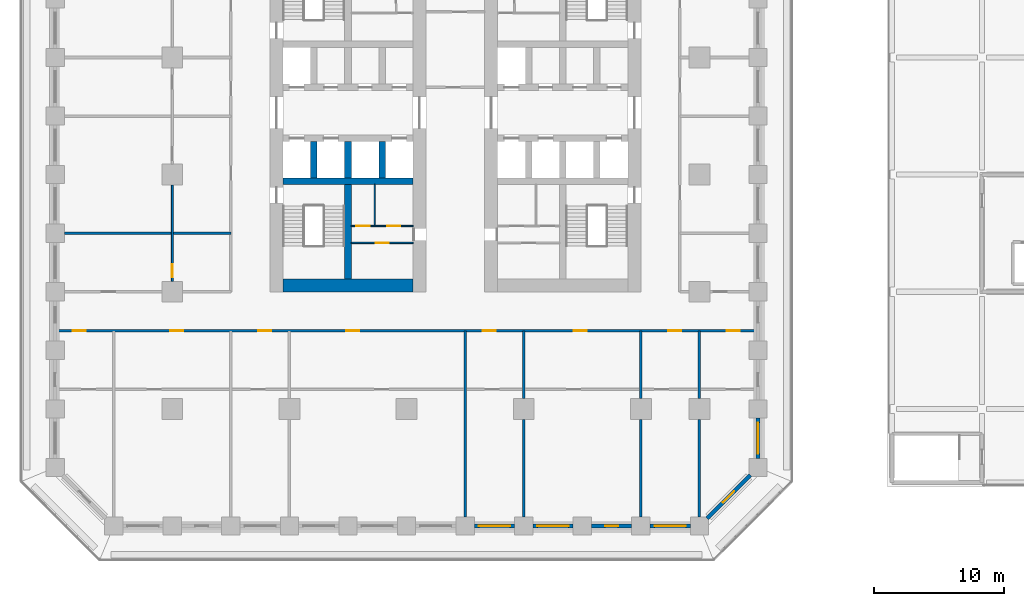
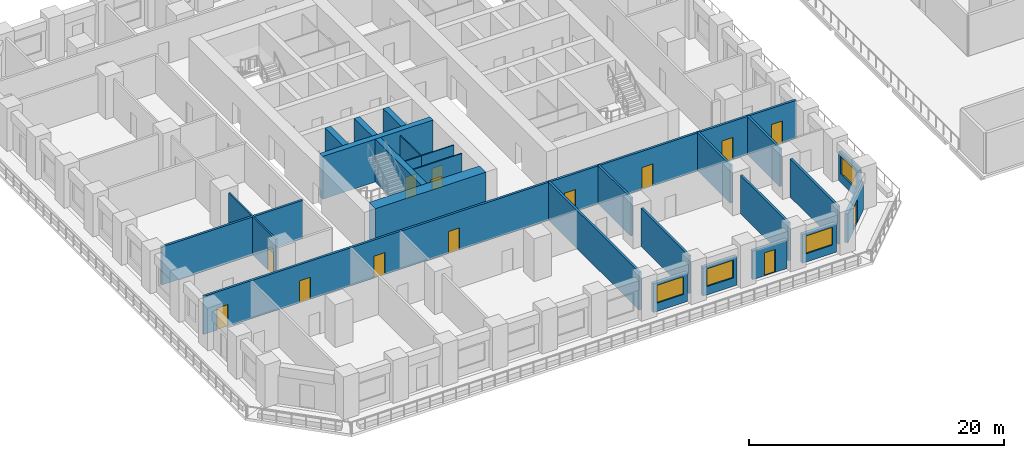
# One storey, part 19 of 30: 26 walls, 14 doors, 4 windows, 18 openings.
"""IFC4 building model written with IfcOpenShell, lengths in metres."""

from ifc_helpers import new_model, si_unit, direction, frame, frame_2d, origin, place, context, subcontext, project, spatial, rectangle, extrude, material, layer, layer_set, type_object, element, fill, save


model = new_model("IFC4")

# Units and contexts
model_context = context("Model", 3, precision=1e-05, world=origin(), true_north=direction((0.0, 1.0)))
body_context = subcontext(model_context, "Body", "Model", "MODEL_VIEW")
ifc_project = project(units=[si_unit("LENGTHUNIT", "METRE"), si_unit("AREAUNIT", "SQUARE_METRE"), si_unit("VOLUMEUNIT", "CUBIC_METRE"), si_unit("PLANEANGLEUNIT", "RADIAN"), si_unit("MASSUNIT", "GRAM", prefix="KILO")], contexts=[model_context])

# Site, building, storey
site_placement = place(None, origin())
site = spatial("IfcSite", under=ifc_project, at=site_placement, CompositionType="ELEMENT")
building_placement = place(site_placement, origin())
building = spatial("IfcBuilding", under=site, at=building_placement, Name="Corbel Stack Research Tower", CompositionType="ELEMENT")
storey_placement = place(building_placement, frame((0.0, 0.0, 19.5)))
storey = spatial("IfcBuildingStorey", under=building, at=storey_placement, Name="L04", CompositionType="ELEMENT", Elevation=19.5)

# Walls
ifc_material_1 = material(Name="Concrete C70/85", Category="concrete")
ifc_layer_1 = layer(ifc_material_1, 1.0)
ifc_layer_set_1 = layer_set([ifc_layer_1], Name="Concrete C70/85")
wall_type_1 = type_object("IfcWallType", Name="CW-1000-70", PredefinedType="SHEAR", material=ifc_layer_set_1)
wall_1_placement = place(storey_placement, frame((-9.5, -8.5, 0.0), z_axis=(0.0, 0.0, 1.0), x_axis=(1.0, 0.0, 0.0)))
element("IfcWall", 1, at=wall_1_placement, inside=storey, type_object=wall_type_1, Name="West core wall, south end L04", PredefinedType="SHEAR", context=body_context, shape_type="SweptSolid", body=[
    extrude(rectangle(XDim=10.0, YDim=1.0, at=frame_2d((5.0, 0.0))), origin(), (0.0, 0.0, 1.0), 4.10009765625),
])
ifc_material_2 = material(Name="Concrete C70/85", Category="concrete")
ifc_layer_2 = layer(ifc_material_2, 0.5)
ifc_layer_set_2 = layer_set([ifc_layer_2], Name="Concrete C70/85")
wall_type_2 = type_object("IfcWallType", Name="CW-500-70", PredefinedType="SHEAR", material=ifc_layer_set_2)
wall_2_placement = place(storey_placement, frame((-9.5, -0.5, 0.0), z_axis=(0.0, 0.0, 1.0), x_axis=(1.0, 0.0, 0.0)))
element("IfcWall", 2, at=wall_2_placement, inside=storey, type_object=wall_type_2, Name="West core wall, south row back L04", PredefinedType="SHEAR", context=body_context, shape_type="SweptSolid", body=[
    extrude(rectangle(XDim=10.0, YDim=0.5, at=frame_2d((5.0, 0.0))), origin(), (0.0, 0.0, 1.0), 4.10009765625),
])
for number, where, z_axis, x_axis, name in (
    (3, (-7.125, -0.25, 0.0), (0.0, 0.0, 1.0), (0.0, 1.0, 0.0), "West core wall, south shaft 1 L04"),
    (4, (-4.5, -0.25, 0.0), (0.0, 0.0, 1.0), (0.0, 1.0, 0.0), "West core wall, south shaft 2 L04"),
    (5, (-1.875, -0.25, 0.0), (0.0, 0.0, 1.0), (0.0, 1.0, 0.0), "West core wall, south shaft 3 L04"),
):
    element("IfcWall", number, at=place(storey_placement, frame(where, z_axis=z_axis, x_axis=x_axis)), inside=storey, type_object=wall_type_2, Name=name, PredefinedType="SHEAR", context=body_context, shape_type="SweptSolid", body=[
        extrude(rectangle(XDim=2.800048828125, YDim=0.5, at=frame_2d((1.39990234375, 0.0))), origin(), (0.0, 0.0, 1.0), 4.10009765625),
    ])
wall_3_placement = place(storey_placement, frame((-4.5, -8.0, 0.0), z_axis=(0.0, 0.0, 1.0), x_axis=(0.0, 1.0, 0.0)))
element("IfcWall", 6, at=wall_3_placement, inside=storey, type_object=wall_type_2, Name="West core wall, south stair and WC L04", PredefinedType="SHEAR", context=body_context, shape_type="SweptSolid", body=[
    extrude(rectangle(XDim=7.25, YDim=0.5, at=frame_2d((3.625, 0.0))), origin(), (0.0, 0.0, 1.0), 4.10009765625),
])

# Wall, opening, door
ifc_material_3 = material(Name="Gypsum board")
ifc_layer_3 = layer(ifc_material_3, 0.10009765625)
ifc_layer_set_3 = layer_set([ifc_layer_3], Name="Gypsum board")
wall_type_3 = type_object("IfcWallType", Name="Core partition 100", PredefinedType="PARTITIONING", material=ifc_layer_set_3)
wall_4_placement = place(storey_placement, frame((-4.25, -5.2451171875, 0.0), z_axis=(0.0, 0.0, 1.0), x_axis=(1.0, 0.0, 0.0)))
wall_4 = element("IfcWall", 7, at=wall_4_placement, inside=storey, type_object=wall_type_3, Name="Core partition W", PredefinedType="PARTITIONING", context=body_context, shape_type="SweptSolid", body=[
    extrude(rectangle(XDim=4.75, YDim=0.10009765625, at=frame_2d((2.375, 0.0))), origin(), (0.0, 0.0, 1.0), 3.64990234375),
])
opening_1_placement = place(wall_4_placement, frame((1.875, 0.0, 0.0)))
opening_1 = element("IfcOpeningElement", 8, at=opening_1_placement, cuts=wall_4, Name="Opening CR-W24-W2-1000", PredefinedType="OPENING", context=body_context, shape_type="SweptSolid", body=[
    extrude(rectangle(XDim=1.0, YDim=2.10009765625, at=frame_2d((0.5, 1.050048828125))), frame((0.0, 0.06005859375, 0.0), z_axis=(0.0, -1.0, 0.0), x_axis=(1.0, 0.0, 0.0)), (0.0, 0.0, 1.0), 0.1201171875),
])
ifc_material_4 = material(Name="Painted timber door", Category="wood")
door_type_1 = type_object("IfcDoorType", Name="WC door 1000 x 2100 right hand", OperationType="SINGLE_SWING_RIGHT", PredefinedType="DOOR", material=ifc_material_4)
door_1_placement = place(opening_1_placement, origin())
door_1 = element("IfcDoor", 9, at=door_1_placement, inside=storey, type_object=door_type_1, Name="Men's WC door W core", OperationType="SINGLE_SWING_RIGHT", OverallHeight=2.10009765625, OverallWidth=1.0, PredefinedType="DOOR", context=body_context, shape_type="SweptSolid", body=[
    extrude(rectangle(XDim=1.0, YDim=2.10009765625, at=frame_2d((0.5, 1.050048828125))), frame((0.0, 0.02490234375, 0.0), z_axis=(0.0, -1.0, 0.0), x_axis=(1.0, 0.0, 0.0)), (0.0, 0.0, 1.0), 0.050048828125),
])
fill(opening_1, door_1)

wall_5_placement = place(storey_placement, frame((-2.445068359375, -3.93994140625, 0.0), z_axis=(0.0, 0.0, 1.0), x_axis=(1.0, 0.0, 0.0)))
wall_5 = element("IfcWall", 10, at=wall_5_placement, inside=storey, type_object=wall_type_3, Name="Core partition W", PredefinedType="PARTITIONING", context=body_context, shape_type="SweptSolid", body=[
    extrude(rectangle(XDim=2.945068359375, YDim=0.10009765625, at=frame_2d((1.47265625, 0.0))), origin(), (0.0, 0.0, 1.0), 3.64990234375),
])
opening_2_placement = place(wall_5_placement, frame((0.972412109375, 0.0, 0.0)))
opening_2 = element("IfcOpeningElement", 11, at=opening_2_placement, cuts=wall_5, Name="Opening CR-W24-W3-1000", PredefinedType="OPENING", context=body_context, shape_type="SweptSolid", body=[
    extrude(rectangle(XDim=1.0, YDim=2.10009765625, at=frame_2d((0.5, 1.050048828125))), frame((0.0, 0.06005859375, 0.0), z_axis=(0.0, -1.0, 0.0), x_axis=(1.0, 0.0, 0.0)), (0.0, 0.0, 1.0), 0.1201171875),
])
ifc_material_5 = material(Name="Painted timber door", Category="wood")
door_type_2 = type_object("IfcDoorType", Name="WC door 1000 x 2100 left hand", OperationType="SINGLE_SWING_LEFT", PredefinedType="DOOR", material=ifc_material_5)
door_2_placement = place(opening_2_placement, origin())
door_2 = element("IfcDoor", 12, at=door_2_placement, inside=storey, type_object=door_type_2, Name="Women's WC door W core", OperationType="SINGLE_SWING_LEFT", OverallHeight=2.10009765625, OverallWidth=1.0, PredefinedType="DOOR", context=body_context, shape_type="SweptSolid", body=[
    extrude(rectangle(XDim=1.0, YDim=2.10009765625, at=frame_2d((0.5, 1.050048828125))), frame((0.0, 0.02490234375, 0.0), z_axis=(0.0, -1.0, 0.0), x_axis=(1.0, 0.0, 0.0)), (0.0, 0.0, 1.0), 0.050048828125),
])
fill(opening_2, door_2)

wall_6_placement = place(storey_placement, frame((-4.25, -3.93994140625, 0.0), z_axis=(0.0, 0.0, 1.0), x_axis=(1.0, 0.0, 0.0)))
wall_6 = element("IfcWall", 13, at=wall_6_placement, inside=storey, type_object=wall_type_3, Name="Core partition W", PredefinedType="PARTITIONING", context=body_context, shape_type="SweptSolid", body=[
    extrude(rectangle(XDim=1.804931640625, YDim=0.10009765625, at=frame_2d((0.90234375, 0.0))), origin(), (0.0, 0.0, 1.0), 3.64990234375),
])
opening_3_placement = place(wall_6_placement, frame((0.402587890625, 0.0, 0.0)))
opening_3 = element("IfcOpeningElement", 14, at=opening_3_placement, cuts=wall_6, Name="Opening CR-W24-W4-1000", PredefinedType="OPENING", context=body_context, shape_type="SweptSolid", body=[
    extrude(rectangle(XDim=1.0, YDim=2.10009765625, at=frame_2d((0.5, 1.050048828125))), frame((0.0, 0.06005859375, 0.0), z_axis=(0.0, -1.0, 0.0), x_axis=(1.0, 0.0, 0.0)), (0.0, 0.0, 1.0), 0.1201171875),
])
door_3_placement = place(opening_3_placement, origin())
door_3 = element("IfcDoor", 15, at=door_3_placement, inside=storey, type_object=door_type_1, Name="Accessible WC door W core", OperationType="SINGLE_SWING_RIGHT", OverallHeight=2.10009765625, OverallWidth=1.0, PredefinedType="DOOR", context=body_context, shape_type="SweptSolid", body=[
    extrude(rectangle(XDim=1.0, YDim=2.10009765625, at=frame_2d((0.5, 1.050048828125))), frame((0.0, 0.02490234375, 0.0), z_axis=(0.0, -1.0, 0.0), x_axis=(1.0, 0.0, 0.0)), (0.0, 0.0, 1.0), 0.050048828125),
])
fill(opening_3, door_3)

# Walls
wall_7_placement = place(storey_placement, frame((-2.445068359375, -3.93994140625, 0.0), z_axis=(0.0, 0.0, 1.0), x_axis=(0.0, 1.0, 0.0)))
element("IfcWall", 16, at=wall_7_placement, inside=storey, type_object=wall_type_3, Name="Core partition W", PredefinedType="PARTITIONING", context=body_context, shape_type="SweptSolid", body=[
    extrude(rectangle(XDim=3.18994140625, YDim=0.10009765625, at=frame_2d((1.594970703125, 0.0))), origin(), (0.0, 0.0, 1.0), 3.64990234375),
])
ifc_material_6 = material(Name="Fire-rated gypsum board partition on steel studs", Category="steel")
ifc_layer_4 = layer(ifc_material_6, 0.199951171875)
ifc_layer_set_4 = layer_set([ifc_layer_4], Name="Fire-rated gypsum board partition on steel studs")
wall_type_4 = type_object("IfcWallType", Name="Fire-rated partition 200 EI 60", PredefinedType="PARTITIONING", material=ifc_layer_set_4)
wall_8_placement = place(storey_placement, frame((4.5, -26.300048828125, 0.0), z_axis=(0.0, 0.0, 1.0), x_axis=(0.0, 1.0, 0.0)))
element("IfcWall", 17, at=wall_8_placement, inside=storey, type_object=wall_type_4, Name="Partition L04-012", PredefinedType="PARTITIONING", context=body_context, shape_type="SweptSolid", body=[
    extrude(rectangle(XDim=14.300048828125, YDim=0.199951171875, at=frame_2d((7.14990234375, 0.0))), origin(), (0.0, 0.0, 1.0), 3.64990234375),
])
wall_9_placement = place(storey_placement, frame((9.0, -26.300048828125, 0.0), z_axis=(0.0, 0.0, 1.0), x_axis=(0.0, 1.0, 0.0)))
element("IfcWall", 18, at=wall_9_placement, inside=storey, type_object=wall_type_4, Name="Partition L04-014", PredefinedType="PARTITIONING", context=body_context, shape_type="SweptSolid", body=[
    extrude(rectangle(XDim=7.5, YDim=0.199951171875, at=frame_2d((3.75, 0.0))), origin(), (0.0, 0.0, 1.0), 3.64990234375),
])
wall_10_placement = place(storey_placement, frame((9.0, -17.199951171875, 0.0), z_axis=(0.0, 0.0, 1.0), x_axis=(0.0, 1.0, 0.0)))
element("IfcWall", 19, at=wall_10_placement, inside=storey, type_object=wall_type_4, Name="Partition L04-015", PredefinedType="PARTITIONING", context=body_context, shape_type="SweptSolid", body=[
    extrude(rectangle(XDim=5.199951171875, YDim=0.199951171875, at=frame_2d((2.60009765625, 0.0))), origin(), (0.0, 0.0, 1.0), 3.64990234375),
])
wall_11_placement = place(storey_placement, frame((18.0, -26.300048828125, 0.0), z_axis=(0.0, 0.0, 1.0), x_axis=(0.0, 1.0, 0.0)))
element("IfcWall", 20, at=wall_11_placement, inside=storey, type_object=wall_type_4, Name="Partition L04-017", PredefinedType="PARTITIONING", context=body_context, shape_type="SweptSolid", body=[
    extrude(rectangle(XDim=7.5, YDim=0.199951171875, at=frame_2d((3.75, 0.0))), origin(), (0.0, 0.0, 1.0), 3.64990234375),
])
wall_12_placement = place(storey_placement, frame((18.0, -17.199951171875, 0.0), z_axis=(0.0, 0.0, 1.0), x_axis=(0.0, 1.0, 0.0)))
element("IfcWall", 21, at=wall_12_placement, inside=storey, type_object=wall_type_4, Name="Partition L04-018", PredefinedType="PARTITIONING", context=body_context, shape_type="SweptSolid", body=[
    extrude(rectangle(XDim=5.199951171875, YDim=0.199951171875, at=frame_2d((2.60009765625, 0.0))), origin(), (0.0, 0.0, 1.0), 3.64990234375),
])
wall_13_placement = place(storey_placement, frame((22.5, -26.300048828125, 0.0), z_axis=(0.0, 0.0, 1.0), x_axis=(0.0, 1.0, 0.0)))
element("IfcWall", 22, at=wall_13_placement, inside=storey, type_object=wall_type_4, Name="Partition L04-021", PredefinedType="PARTITIONING", context=body_context, shape_type="SweptSolid", body=[
    extrude(rectangle(XDim=7.5, YDim=0.199951171875, at=frame_2d((3.75, 0.0))), origin(), (0.0, 0.0, 1.0), 3.64990234375),
])
wall_14_placement = place(storey_placement, frame((22.5, -17.199951171875, 0.0), z_axis=(0.0, 0.0, 1.0), x_axis=(0.0, 1.0, 0.0)))
element("IfcWall", 23, at=wall_14_placement, inside=storey, type_object=wall_type_4, Name="Partition L04-022", PredefinedType="PARTITIONING", context=body_context, shape_type="SweptSolid", body=[
    extrude(rectangle(XDim=5.199951171875, YDim=0.199951171875, at=frame_2d((2.60009765625, 0.0))), origin(), (0.0, 0.0, 1.0), 3.64990234375),
])

# Wall, openings, doors
wall_15_placement = place(storey_placement, frame((26.85009765625, -12.0, 0.0), z_axis=(0.0, 0.0, 1.0), x_axis=(-1.0, 0.0, 0.0)))
wall_15 = element("IfcWall", 24, at=wall_15_placement, inside=storey, type_object=wall_type_4, Name="Partition L04-025", PredefinedType="PARTITIONING", context=body_context, shape_type="SweptSolid", body=[
    extrude(rectangle(XDim=53.7001953125, YDim=0.199951171875, at=frame_2d((26.85009765625, 0.0))), origin(), (0.0, 0.0, 1.0), 3.64990234375),
])
opening_4_placement = place(wall_15_placement, frame((51.5, 0.0, 0.0)))
opening_4 = element("IfcOpeningElement", 25, at=opening_4_placement, cuts=wall_15, Name="Opening B1V1-016", PredefinedType="OPENING", context=body_context, shape_type="SweptSolid", body=[
    extrude(rectangle(XDim=1.0, YDim=2.10009765625, at=frame_2d((0.5, 1.050048828125))), frame((0.0, 0.10986328125, 0.0), z_axis=(0.0, -1.0, 0.0), x_axis=(1.0, 0.0, 0.0)), (0.0, 0.0, 1.0), 0.219970703125),
])
opening_5_placement = place(wall_15_placement, frame((44.0, 0.0, 0.0)))
opening_5 = element("IfcOpeningElement", 26, at=opening_5_placement, cuts=wall_15, Name="Opening B1V1-017", PredefinedType="OPENING", context=body_context, shape_type="SweptSolid", body=[
    extrude(rectangle(XDim=1.0, YDim=2.10009765625, at=frame_2d((0.5, 1.050048828125))), frame((0.0, 0.10986328125, 0.0), z_axis=(0.0, -1.0, 0.0), x_axis=(1.0, 0.0, 0.0)), (0.0, 0.0, 1.0), 0.219970703125),
])
opening_6_placement = place(wall_15_placement, frame((37.25, 0.0, 0.0)))
opening_6 = element("IfcOpeningElement", 27, at=opening_6_placement, cuts=wall_15, Name="Opening B1V1-018", PredefinedType="OPENING", context=body_context, shape_type="SweptSolid", body=[
    extrude(rectangle(XDim=1.0, YDim=2.10009765625, at=frame_2d((0.5, 1.050048828125))), frame((0.0, 0.10986328125, 0.0), z_axis=(0.0, -1.0, 0.0), x_axis=(1.0, 0.0, 0.0)), (0.0, 0.0, 1.0), 0.219970703125),
])
opening_7_placement = place(wall_15_placement, frame((30.5, 0.0, 0.0)))
opening_7 = element("IfcOpeningElement", 28, at=opening_7_placement, cuts=wall_15, Name="Opening B1V1-019", PredefinedType="OPENING", context=body_context, shape_type="SweptSolid", body=[
    extrude(rectangle(XDim=1.0, YDim=2.10009765625, at=frame_2d((0.5, 1.050048828125))), frame((0.0, 0.10986328125, 0.0), z_axis=(0.0, -1.0, 0.0), x_axis=(1.0, 0.0, 0.0)), (0.0, 0.0, 1.0), 0.219970703125),
])
opening_8_placement = place(wall_15_placement, frame((20.0, 0.0, 0.0)))
opening_8 = element("IfcOpeningElement", 29, at=opening_8_placement, cuts=wall_15, Name="Opening B1V1-020", PredefinedType="OPENING", context=body_context, shape_type="SweptSolid", body=[
    extrude(rectangle(XDim=1.0, YDim=2.10009765625, at=frame_2d((0.5, 1.050048828125))), frame((0.0, 0.10986328125, 0.0), z_axis=(0.0, -1.0, 0.0), x_axis=(1.0, 0.0, 0.0)), (0.0, 0.0, 1.0), 0.219970703125),
])
opening_9_placement = place(wall_15_placement, frame((13.0, 0.0, 0.0)))
opening_9 = element("IfcOpeningElement", 30, at=opening_9_placement, cuts=wall_15, Name="Opening B1V1-021", PredefinedType="OPENING", context=body_context, shape_type="SweptSolid", body=[
    extrude(rectangle(XDim=1.0, YDim=2.10009765625, at=frame_2d((0.5, 1.050048828125))), frame((0.0, 0.10986328125, 0.0), z_axis=(0.0, -1.0, 0.0), x_axis=(1.0, 0.0, 0.0)), (0.0, 0.0, 1.0), 0.219970703125),
])
opening_10_placement = place(wall_15_placement, frame((5.75, 0.0, 0.0)))
opening_10 = element("IfcOpeningElement", 31, at=opening_10_placement, cuts=wall_15, Name="Opening B1V1-022", PredefinedType="OPENING", context=body_context, shape_type="SweptSolid", body=[
    extrude(rectangle(XDim=1.0, YDim=2.10009765625, at=frame_2d((0.5, 1.050048828125))), frame((0.0, 0.10986328125, 0.0), z_axis=(0.0, -1.0, 0.0), x_axis=(1.0, 0.0, 0.0)), (0.0, 0.0, 1.0), 0.219970703125),
])
opening_11_placement = place(wall_15_placement, frame((1.25, 0.0, 0.0)))
opening_11 = element("IfcOpeningElement", 32, at=opening_11_placement, cuts=wall_15, Name="Opening B1V1-023", PredefinedType="OPENING", context=body_context, shape_type="SweptSolid", body=[
    extrude(rectangle(XDim=1.0, YDim=2.10009765625, at=frame_2d((0.5, 1.050048828125))), frame((0.0, 0.10986328125, 0.0), z_axis=(0.0, -1.0, 0.0), x_axis=(1.0, 0.0, 0.0)), (0.0, 0.0, 1.0), 0.219970703125),
])
ifc_material_7 = material(Name="Painted steel fire door", Category="steel")
door_type_3 = type_object("IfcDoorType", Name="Fire door FD30S 1000 x 2100", OperationType="NOTDEFINED", PredefinedType="DOOR", material=ifc_material_7)
door_4_placement = place(opening_4_placement, origin())
door_4 = element("IfcDoor", 33, at=door_4_placement, inside=storey, type_object=door_type_3, Name="Door B1V1-016", OperationType="SINGLE_SWING_RIGHT", OverallHeight=2.10009765625, OverallWidth=1.0, PredefinedType="DOOR", context=body_context, shape_type="SweptSolid", body=[
    extrude(rectangle(XDim=1.0, YDim=2.10009765625, at=frame_2d((0.5, 1.050048828125))), frame((0.0, 0.02490234375, 0.0), z_axis=(0.0, -1.0, 0.0), x_axis=(1.0, 0.0, 0.0)), (0.0, 0.0, 1.0), 0.050048828125),
])
fill(opening_4, door_4)
door_5_placement = place(opening_5_placement, origin())
door_5 = element("IfcDoor", 34, at=door_5_placement, inside=storey, type_object=door_type_3, Name="Door B1V1-017", OperationType="SINGLE_SWING_RIGHT", OverallHeight=2.10009765625, OverallWidth=1.0, PredefinedType="DOOR", context=body_context, shape_type="SweptSolid", body=[
    extrude(rectangle(XDim=1.0, YDim=2.10009765625, at=frame_2d((0.5, 1.050048828125))), frame((0.0, 0.02490234375, 0.0), z_axis=(0.0, -1.0, 0.0), x_axis=(1.0, 0.0, 0.0)), (0.0, 0.0, 1.0), 0.050048828125),
])
fill(opening_5, door_5)
door_6_placement = place(opening_6_placement, origin())
door_6 = element("IfcDoor", 35, at=door_6_placement, inside=storey, type_object=door_type_3, Name="Door B1V1-018", OperationType="SINGLE_SWING_RIGHT", OverallHeight=2.10009765625, OverallWidth=1.0, PredefinedType="DOOR", context=body_context, shape_type="SweptSolid", body=[
    extrude(rectangle(XDim=1.0, YDim=2.10009765625, at=frame_2d((0.5, 1.050048828125))), frame((0.0, 0.02490234375, 0.0), z_axis=(0.0, -1.0, 0.0), x_axis=(1.0, 0.0, 0.0)), (0.0, 0.0, 1.0), 0.050048828125),
])
fill(opening_6, door_6)
door_7_placement = place(opening_7_placement, origin())
door_7 = element("IfcDoor", 36, at=door_7_placement, inside=storey, type_object=door_type_3, Name="Door B1V1-019", OperationType="SINGLE_SWING_RIGHT", OverallHeight=2.10009765625, OverallWidth=1.0, PredefinedType="DOOR", context=body_context, shape_type="SweptSolid", body=[
    extrude(rectangle(XDim=1.0, YDim=2.10009765625, at=frame_2d((0.5, 1.050048828125))), frame((0.0, 0.02490234375, 0.0), z_axis=(0.0, -1.0, 0.0), x_axis=(1.0, 0.0, 0.0)), (0.0, 0.0, 1.0), 0.050048828125),
])
fill(opening_7, door_7)
door_8_placement = place(opening_8_placement, origin())
door_8 = element("IfcDoor", 37, at=door_8_placement, inside=storey, type_object=door_type_3, Name="Door B1V1-020", OperationType="SINGLE_SWING_LEFT", OverallHeight=2.10009765625, OverallWidth=1.0, PredefinedType="DOOR", context=body_context, shape_type="SweptSolid", body=[
    extrude(rectangle(XDim=1.0, YDim=2.10009765625, at=frame_2d((0.5, 1.050048828125))), frame((0.0, 0.02490234375, 0.0), z_axis=(0.0, -1.0, 0.0), x_axis=(1.0, 0.0, 0.0)), (0.0, 0.0, 1.0), 0.050048828125),
])
fill(opening_8, door_8)
door_9_placement = place(opening_9_placement, origin())
door_9 = element("IfcDoor", 38, at=door_9_placement, inside=storey, type_object=door_type_3, Name="Door B1V1-021", OperationType="SINGLE_SWING_LEFT", OverallHeight=2.10009765625, OverallWidth=1.0, PredefinedType="DOOR", context=body_context, shape_type="SweptSolid", body=[
    extrude(rectangle(XDim=1.0, YDim=2.10009765625, at=frame_2d((0.5, 1.050048828125))), frame((0.0, 0.02490234375, 0.0), z_axis=(0.0, -1.0, 0.0), x_axis=(1.0, 0.0, 0.0)), (0.0, 0.0, 1.0), 0.050048828125),
])
fill(opening_9, door_9)
door_10_placement = place(opening_10_placement, origin())
door_10 = element("IfcDoor", 39, at=door_10_placement, inside=storey, type_object=door_type_3, Name="Door B1V1-022", OperationType="SINGLE_SWING_LEFT", OverallHeight=2.10009765625, OverallWidth=1.0, PredefinedType="DOOR", context=body_context, shape_type="SweptSolid", body=[
    extrude(rectangle(XDim=1.0, YDim=2.10009765625, at=frame_2d((0.5, 1.050048828125))), frame((0.0, 0.02490234375, 0.0), z_axis=(0.0, -1.0, 0.0), x_axis=(1.0, 0.0, 0.0)), (0.0, 0.0, 1.0), 0.050048828125),
])
fill(opening_10, door_10)
door_11_placement = place(opening_11_placement, origin())
door_11 = element("IfcDoor", 40, at=door_11_placement, inside=storey, type_object=door_type_3, Name="Door B1V1-023", OperationType="SINGLE_SWING_LEFT", OverallHeight=2.10009765625, OverallWidth=1.0, PredefinedType="DOOR", context=body_context, shape_type="SweptSolid", body=[
    extrude(rectangle(XDim=1.0, YDim=2.10009765625, at=frame_2d((0.5, 1.050048828125))), frame((0.0, 0.02490234375, 0.0), z_axis=(0.0, -1.0, 0.0), x_axis=(1.0, 0.0, 0.0)), (0.0, 0.0, 1.0), 0.050048828125),
])
fill(opening_11, door_11)

# Wall
wall_16_placement = place(storey_placement, frame((-26.300048828125, -4.5, 0.0), z_axis=(0.0, 0.0, 1.0), x_axis=(1.0, 0.0, 0.0)))
element("IfcWall", 41, at=wall_16_placement, inside=storey, type_object=wall_type_4, Name="Partition L04-030", PredefinedType="PARTITIONING", context=body_context, shape_type="SweptSolid", body=[
    extrude(rectangle(XDim=12.800048828125, YDim=0.199951171875, at=frame_2d((6.39990234375, 0.0))), origin(), (0.0, 0.0, 1.0), 3.64990234375),
])

# Wall, opening, door
ifc_material_8 = material(Name="Gypsum board partition on steel studs", Category="steel")
ifc_layer_5 = layer(ifc_material_8, 0.14990234375)
ifc_layer_set_5 = layer_set([ifc_layer_5], Name="Gypsum board partition on steel studs")
wall_type_5 = type_object("IfcWallType", Name="Partition 150", PredefinedType="PARTITIONING", material=ifc_layer_set_5)
wall_17_placement = place(storey_placement, frame((-18.0, -0.800048828125, 0.0), z_axis=(0.0, 0.0, 1.0), x_axis=(0.0, -1.0, 0.0)))
wall_17 = element("IfcWall", 42, at=wall_17_placement, inside=storey, type_object=wall_type_5, Name="Partition L04-003", PredefinedType="PARTITIONING", context=body_context, shape_type="SweptSolid", body=[
    extrude(rectangle(XDim=7.39990234375, YDim=0.14990234375, at=frame_2d((3.699951171875, 0.0))), origin(), (0.0, 0.0, 1.0), 3.64990234375),
])
opening_12_placement = place(wall_17_placement, frame((6.10009765625, 0.0, 0.0)))
opening_12 = element("IfcOpeningElement", 43, at=opening_12_placement, cuts=wall_17, Name="Opening B1V1-001", PredefinedType="OPENING", context=body_context, shape_type="SweptSolid", body=[
    extrude(rectangle(XDim=1.0, YDim=2.10009765625, at=frame_2d((0.5, 1.050048828125))), frame((0.0, 0.0849609375, 0.0), z_axis=(0.0, -1.0, 0.0), x_axis=(1.0, 0.0, 0.0)), (0.0, 0.0, 1.0), 0.169921875),
])
ifc_material_9 = material(Name="Painted timber door", Category="wood")
door_type_4 = type_object("IfcDoorType", Name="Single door 1000 x 2100", OperationType="NOTDEFINED", PredefinedType="DOOR", material=ifc_material_9)
door_12_placement = place(opening_12_placement, origin())
door_12 = element("IfcDoor", 44, at=door_12_placement, inside=storey, type_object=door_type_4, Name="Door B1V1-001", OperationType="SINGLE_SWING_RIGHT", OverallHeight=2.10009765625, OverallWidth=1.0, PredefinedType="DOOR", context=body_context, shape_type="SweptSolid", body=[
    extrude(rectangle(XDim=1.0, YDim=2.10009765625, at=frame_2d((0.5, 1.050048828125))), frame((0.0, 0.02490234375, 0.0), z_axis=(0.0, -1.0, 0.0), x_axis=(1.0, 0.0, 0.0)), (0.0, 0.0, 1.0), 0.050048828125),
])
fill(opening_12, door_12)

# Wall, opening, window
ifc_material_10 = material(Name="Concrete C45/55", Category="concrete")
ifc_layer_6 = layer(ifc_material_10, 0.300048828125)
ifc_layer_set_6 = layer_set([ifc_layer_6], Name="Concrete C45/55")
wall_type_6 = type_object("IfcWallType", Name="Terracotta-faced concrete wall 300", PredefinedType="SOLIDWALL", material=ifc_layer_set_6)
wall_18_placement = place(storey_placement, frame((8.300048828125, -27.0, 0.0), z_axis=(0.0, 0.0, 1.0), x_axis=(-1.0, 0.0, 0.0)))
wall_18 = element("IfcWall", 45, at=wall_18_placement, inside=storey, type_object=wall_type_6, Name="Facade wall L04 S07", PredefinedType="SOLIDWALL", context=body_context, shape_type="SweptSolid", body=[
    extrude(rectangle(XDim=3.10009765625, YDim=0.300048828125, at=frame_2d((1.550048828125, 0.0))), origin(), (0.0, 0.0, 1.0), 2.75),
])
opening_13_placement = place(wall_18_placement, frame((0.35009765625, 0.0, 0.800048828125)))
opening_13 = element("IfcOpeningElement", 46, at=opening_13_placement, cuts=wall_18, Name="Opening W1", PredefinedType="OPENING", context=body_context, shape_type="SweptSolid", body=[
    extrude(rectangle(XDim=2.39990234375, YDim=1.699951171875, at=frame_2d((1.199951171875, 0.85009765625))), frame((0.0, 0.159912109375, 0.0), z_axis=(0.0, -1.0, 0.0), x_axis=(1.0, 0.0, 0.0)), (0.0, 0.0, 1.0), 0.320068359375),
])
ifc_material_11 = material(Name="Aluminium frame, clear double glazing", Category="aluminium")
window_type = type_object("IfcWindowType", Name="Window W1 2400 x 1700", PartitioningType="SINGLE_PANEL", PredefinedType="WINDOW", material=ifc_material_11)
window_1_placement = place(opening_13_placement, origin())
window_1 = element("IfcWindow", 47, at=window_1_placement, inside=storey, type_object=window_type, Name="Window W1 L04 S07", OverallHeight=1.699951171875, OverallWidth=2.39990234375, PartitioningType="SINGLE_PANEL", PredefinedType="WINDOW", context=body_context, shape_type="SweptSolid", body=[
    extrude(rectangle(XDim=2.39990234375, YDim=1.699951171875, at=frame_2d((1.199951171875, 0.85009765625))), frame((0.0, 0.030029296875, 0.0), z_axis=(0.0, -1.0, 0.0), x_axis=(1.0, 0.0, 0.0)), (0.0, 0.0, 1.0), 0.06005859375),
])
fill(opening_13, window_1)

wall_19_placement = place(storey_placement, frame((12.800048828125, -27.0, 0.0), z_axis=(0.0, 0.0, 1.0), x_axis=(-1.0, 0.0, 0.0)))
wall_19 = element("IfcWall", 48, at=wall_19_placement, inside=storey, type_object=wall_type_6, Name="Facade wall L04 S08", PredefinedType="SOLIDWALL", context=body_context, shape_type="SweptSolid", body=[
    extrude(rectangle(XDim=3.10009765625, YDim=0.300048828125, at=frame_2d((1.550048828125, 0.0))), origin(), (0.0, 0.0, 1.0), 2.75),
])
opening_14_placement = place(wall_19_placement, frame((0.35009765625, 0.0, 0.800048828125)))
opening_14 = element("IfcOpeningElement", 49, at=opening_14_placement, cuts=wall_19, Name="Opening W1", PredefinedType="OPENING", context=body_context, shape_type="SweptSolid", body=[
    extrude(rectangle(XDim=2.39990234375, YDim=1.699951171875, at=frame_2d((1.199951171875, 0.85009765625))), frame((0.0, 0.159912109375, 0.0), z_axis=(0.0, -1.0, 0.0), x_axis=(1.0, 0.0, 0.0)), (0.0, 0.0, 1.0), 0.320068359375),
])
window_2_placement = place(opening_14_placement, origin())
window_2 = element("IfcWindow", 50, at=window_2_placement, inside=storey, type_object=window_type, Name="Window W1 L04 S08", OverallHeight=1.699951171875, OverallWidth=2.39990234375, PartitioningType="SINGLE_PANEL", PredefinedType="WINDOW", context=body_context, shape_type="SweptSolid", body=[
    extrude(rectangle(XDim=2.39990234375, YDim=1.699951171875, at=frame_2d((1.199951171875, 0.85009765625))), frame((0.0, 0.030029296875, 0.0), z_axis=(0.0, -1.0, 0.0), x_axis=(1.0, 0.0, 0.0)), (0.0, 0.0, 1.0), 0.06005859375),
])
fill(opening_14, window_2)

# Wall, opening, door
wall_20_placement = place(storey_placement, frame((17.300048828125, -27.0, 0.0), z_axis=(0.0, 0.0, 1.0), x_axis=(-1.0, 0.0, 0.0)))
wall_20 = element("IfcWall", 51, at=wall_20_placement, inside=storey, type_object=wall_type_6, Name="Facade wall L04 S09", PredefinedType="SOLIDWALL", context=body_context, shape_type="SweptSolid", body=[
    extrude(rectangle(XDim=3.10009765625, YDim=0.300048828125, at=frame_2d((1.550048828125, 0.0))), origin(), (0.0, 0.0, 1.0), 2.75),
])
opening_15_placement = place(wall_20_placement, frame((1.050048828125, 0.0, 0.0)))
opening_15 = element("IfcOpeningElement", 52, at=opening_15_placement, cuts=wall_20, Name="Opening L04-B02", PredefinedType="OPENING", context=body_context, shape_type="SweptSolid", body=[
    extrude(rectangle(XDim=1.0, YDim=2.199951171875, at=frame_2d((0.5, 1.10009765625))), frame((0.0, 0.159912109375, 0.0), z_axis=(0.0, -1.0, 0.0), x_axis=(1.0, 0.0, 0.0)), (0.0, 0.0, 1.0), 0.320068359375),
])
ifc_material_12 = material(Name="Aluminium frame, clear double glazing", Category="aluminium")
door_type_5 = type_object("IfcDoorType", Name="Balcony door BD1 1000 x 2200", OperationType="NOTDEFINED", PredefinedType="DOOR", material=ifc_material_12)
door_13_placement = place(opening_15_placement, origin())
door_13 = element("IfcDoor", 53, at=door_13_placement, inside=storey, type_object=door_type_5, Name="Balcony door L04-B02", OperationType="SINGLE_SWING_LEFT", OverallHeight=2.199951171875, OverallWidth=1.0, PredefinedType="DOOR", context=body_context, shape_type="SweptSolid", body=[
    extrude(rectangle(XDim=1.0, YDim=2.199951171875, at=frame_2d((0.5, 1.10009765625))), frame((0.0, 0.02490234375, 0.0), z_axis=(0.0, -1.0, 0.0), x_axis=(1.0, 0.0, 0.0)), (0.0, 0.0, 1.0), 0.050048828125),
])
fill(opening_15, door_13)

# Wall, opening, window
wall_21_placement = place(storey_placement, frame((21.800048828125, -27.0, 0.0), z_axis=(0.0, 0.0, 1.0), x_axis=(-1.0, 0.0, 0.0)))
wall_21 = element("IfcWall", 54, at=wall_21_placement, inside=storey, type_object=wall_type_6, Name="Facade wall L04 S10", PredefinedType="SOLIDWALL", context=body_context, shape_type="SweptSolid", body=[
    extrude(rectangle(XDim=3.10009765625, YDim=0.300048828125, at=frame_2d((1.550048828125, 0.0))), origin(), (0.0, 0.0, 1.0), 2.75),
])
opening_16_placement = place(wall_21_placement, frame((0.35009765625, 0.0, 0.800048828125)))
opening_16 = element("IfcOpeningElement", 55, at=opening_16_placement, cuts=wall_21, Name="Opening W1", PredefinedType="OPENING", context=body_context, shape_type="SweptSolid", body=[
    extrude(rectangle(XDim=2.39990234375, YDim=1.699951171875, at=frame_2d((1.199951171875, 0.85009765625))), frame((0.0, 0.159912109375, 0.0), z_axis=(0.0, -1.0, 0.0), x_axis=(1.0, 0.0, 0.0)), (0.0, 0.0, 1.0), 0.320068359375),
])
window_3_placement = place(opening_16_placement, origin())
window_3 = element("IfcWindow", 56, at=window_3_placement, inside=storey, type_object=window_type, Name="Window W1 L04 S10", OverallHeight=1.699951171875, OverallWidth=2.39990234375, PartitioningType="SINGLE_PANEL", PredefinedType="WINDOW", context=body_context, shape_type="SweptSolid", body=[
    extrude(rectangle(XDim=2.39990234375, YDim=1.699951171875, at=frame_2d((1.199951171875, 0.85009765625))), frame((0.0, 0.030029296875, 0.0), z_axis=(0.0, -1.0, 0.0), x_axis=(1.0, 0.0, 0.0)), (0.0, 0.0, 1.0), 0.06005859375),
])
fill(opening_16, window_3)

# Wall, opening, door
wall_22_placement = place(storey_placement, frame((26.406005859375, -23.093994140625, 0.0), z_axis=(0.0, 0.0, 1.0), x_axis=(-0.707106781187, -0.707106781187, 0.0)))
wall_22 = element("IfcWall", 57, at=wall_22_placement, inside=storey, type_object=wall_type_6, Name="Facade wall L04 SE01", PredefinedType="SOLIDWALL", context=body_context, shape_type="SweptSolid", body=[
    extrude(rectangle(XDim=4.683837890625, YDim=0.300048828125, at=frame_2d((2.341796875, 0.0))), origin(), (0.0, 0.0, 1.0), 2.75),
])
opening_17_placement = place(wall_22_placement, frame((1.741943359375, 0.0, 0.0)))
opening_17 = element("IfcOpeningElement", 58, at=opening_17_placement, cuts=wall_22, Name="Opening L04-B03", PredefinedType="OPENING", context=body_context, shape_type="SweptSolid", body=[
    extrude(rectangle(XDim=1.199951171875, YDim=2.199951171875, at=frame_2d((0.60009765625, 1.10009765625))), frame((0.0, 0.159912109375, 0.0), z_axis=(0.0, -1.0, 0.0), x_axis=(1.0, 0.0, 0.0)), (0.0, 0.0, 1.0), 0.320068359375),
])
ifc_material_13 = material(Name="Aluminium frame, clear double glazing", Category="aluminium")
door_type_6 = type_object("IfcDoorType", Name="Balcony door BD2 1200 x 2200", OperationType="NOTDEFINED", PredefinedType="DOOR", material=ifc_material_13)
door_14_placement = place(opening_17_placement, origin())
door_14 = element("IfcDoor", 59, at=door_14_placement, inside=storey, type_object=door_type_6, Name="Balcony door L04-B03", OperationType="SINGLE_SWING_LEFT", OverallHeight=2.199951171875, OverallWidth=1.199951171875, PredefinedType="DOOR", context=body_context, shape_type="SweptSolid", body=[
    extrude(rectangle(XDim=1.199951171875, YDim=2.199951171875, at=frame_2d((0.60009765625, 1.10009765625))), frame((0.0, 0.02490234375, 0.0), z_axis=(0.0, -1.0, 0.0), x_axis=(1.0, 0.0, 0.0)), (0.0, 0.0, 1.0), 0.050048828125),
])
fill(opening_17, door_14)

# Wall, opening, window
wall_23_placement = place(storey_placement, frame((27.0, -18.699951171875, 0.0), z_axis=(0.0, 0.0, 1.0), x_axis=(0.0, -1.0, 0.0)))
wall_23 = element("IfcWall", 60, at=wall_23_placement, inside=storey, type_object=wall_type_6, Name="Facade wall L04 E01", PredefinedType="SOLIDWALL", context=body_context, shape_type="SweptSolid", body=[
    extrude(rectangle(XDim=3.10009765625, YDim=0.300048828125, at=frame_2d((1.550048828125, 0.0))), origin(), (0.0, 0.0, 1.0), 2.75),
])
opening_18_placement = place(wall_23_placement, frame((0.35009765625, 0.0, 0.800048828125)))
opening_18 = element("IfcOpeningElement", 61, at=opening_18_placement, cuts=wall_23, Name="Opening W1", PredefinedType="OPENING", context=body_context, shape_type="SweptSolid", body=[
    extrude(rectangle(XDim=2.39990234375, YDim=1.699951171875, at=frame_2d((1.199951171875, 0.85009765625))), frame((0.0, 0.159912109375, 0.0), z_axis=(0.0, -1.0, 0.0), x_axis=(1.0, 0.0, 0.0)), (0.0, 0.0, 1.0), 0.320068359375),
])
window_4_placement = place(opening_18_placement, origin())
window_4 = element("IfcWindow", 62, at=window_4_placement, inside=storey, type_object=window_type, Name="Window W1 L04 E01", OverallHeight=1.699951171875, OverallWidth=2.39990234375, PartitioningType="SINGLE_PANEL", PredefinedType="WINDOW", context=body_context, shape_type="SweptSolid", body=[
    extrude(rectangle(XDim=2.39990234375, YDim=1.699951171875, at=frame_2d((1.199951171875, 0.85009765625))), frame((0.0, 0.030029296875, 0.0), z_axis=(0.0, -1.0, 0.0), x_axis=(1.0, 0.0, 0.0)), (0.0, 0.0, 1.0), 0.06005859375),
])
fill(opening_18, window_4)

save(model, "model.ifc")
